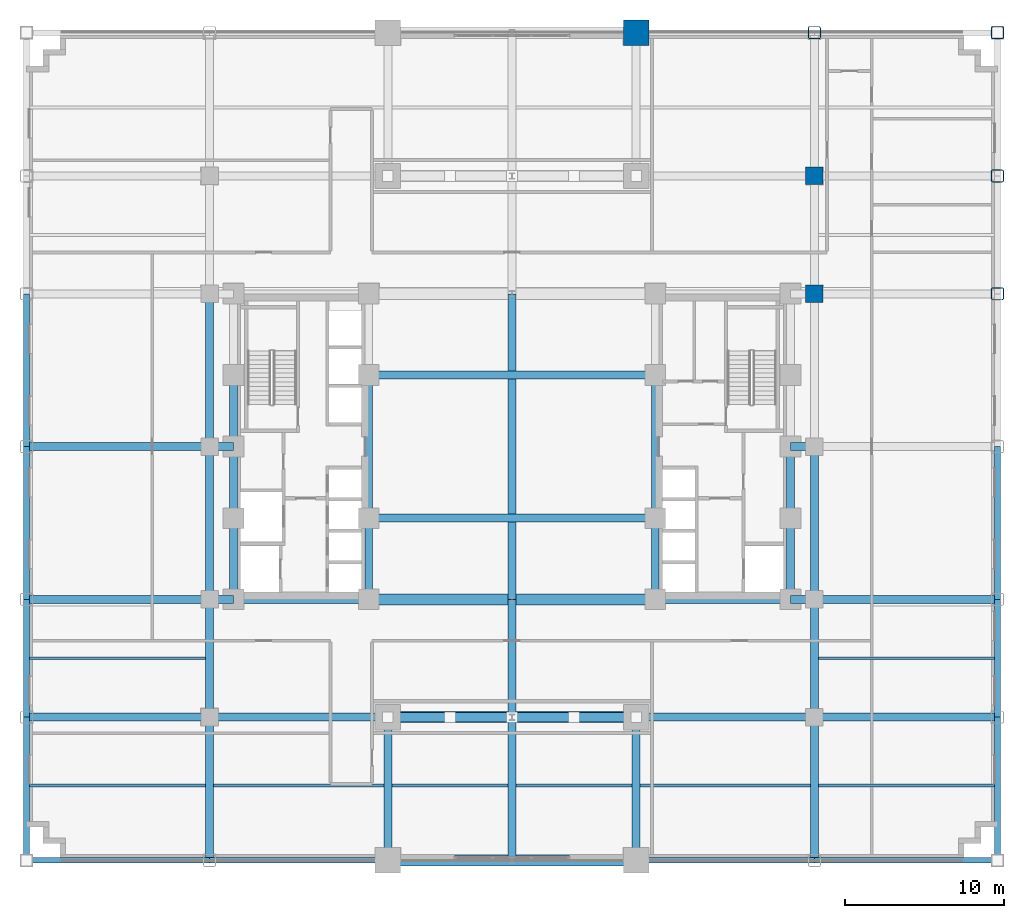
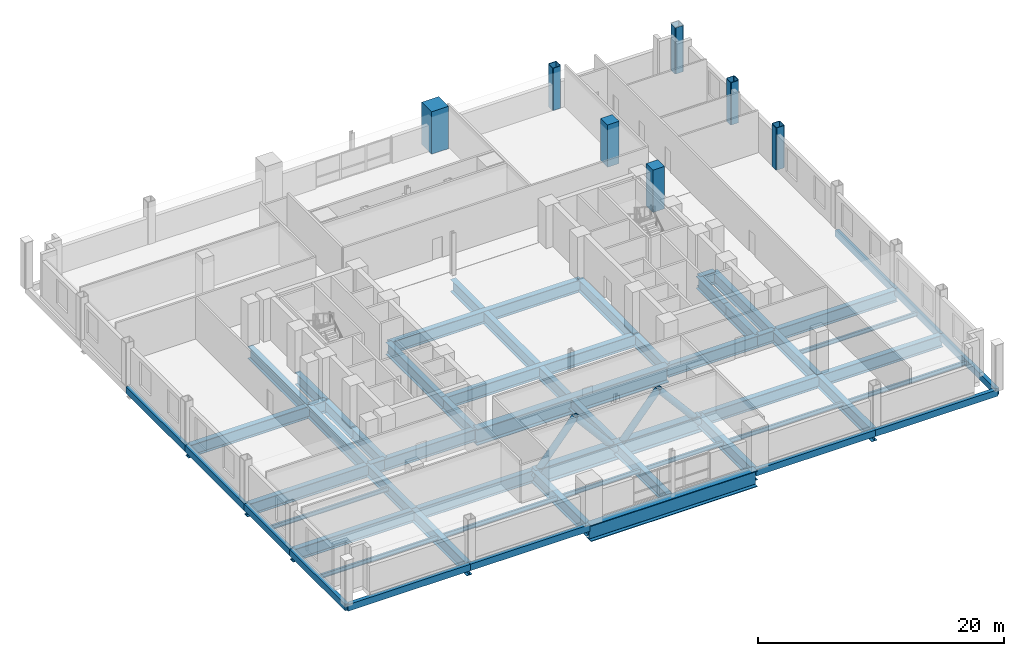
# One storey, part 4 of 17: 58 beams, 7 columns, 4 members.
"""IFC4 building model written with IfcOpenShell, lengths in metres."""

from ifc_helpers import new_model, si_unit, direction, frame, origin, origin_2d, place, context, subcontext, project, spatial, rectangle, hollow_rectangle, hollow_circle, i_section, extrude, material, material_profile, profile_set, type_object, element, save


model = new_model("IFC4")

# Units and contexts
model_context = context("Model", 3, precision=1e-05, world=origin(), true_north=direction((0.0, 1.0)))
body_context = subcontext(model_context, "Body", "Model", "MODEL_VIEW")
ifc_project = project(units=[si_unit("LENGTHUNIT", "METRE"), si_unit("AREAUNIT", "SQUARE_METRE"), si_unit("VOLUMEUNIT", "CUBIC_METRE"), si_unit("PLANEANGLEUNIT", "RADIAN"), si_unit("MASSUNIT", "GRAM", prefix="KILO")], contexts=[model_context])

# Site, building, storey
site_placement = place(None, origin())
site = spatial("IfcSite", under=ifc_project, at=site_placement, CompositionType="ELEMENT")
building_placement = place(site_placement, origin())
building = spatial("IfcBuilding", under=site, at=building_placement, Name="Nuvemarco Arch Tower", CompositionType="ELEMENT")
storey_placement = place(building_placement, frame((0.0, 0.0, 18.39990234375)))
storey = spatial("IfcBuildingStorey", under=building, at=storey_placement, Name="L04", CompositionType="ELEMENT", Elevation=18.39990234375)

# Columns
ifc_material_1 = material(Name="Concrete C60/75", Category="concrete")
ifc_material_profile_1 = material_profile(ifc_material_1, rectangle(XDim=1.10009765625, YDim=1.10009765625, at=origin_2d()), Name="RC-COL-1100x1100")
ifc_profile_set_1 = profile_set([ifc_material_profile_1], Name="Concrete C60/75")
column_type_1 = type_object("IfcColumnType", Name="COL-CORE-1100", PredefinedType="COLUMN", material=ifc_profile_set_1)
for number, where, z_axis, x_axis, name in (
    (1, (19.0, 9.60009765625, 0.0), (0.0, 0.0, 1.0), (1.0, 0.0, 0.0), "L04 column CP_+19.0_+9.6"),
    (2, (19.0, 17.0, 0.0), (0.0, 0.0, 1.0), (1.0, 0.0, 0.0), "L04 column CP_+19.0_+17.0"),
):
    element("IfcColumn", number, at=place(storey_placement, frame(where, z_axis=z_axis, x_axis=x_axis)), inside=storey, type_object=column_type_1, Name=name, PredefinedType="COLUMN", context=body_context, shape_type="SweptSolid", body=[
        extrude(rectangle(XDim=1.10009765625, YDim=1.10009765625, at=origin_2d()), origin(), (0.0, 0.0, 1.0), 4.2001953125),
    ])
ifc_material_2 = material(Name="Steel S460", Category="steel")
ifc_material_profile_2 = material_profile(ifc_material_2, hollow_rectangle(XDim=0.800048828125, YDim=0.800048828125, WallThickness=0.054931640625, InnerFilletRadius=0.054931640625, OuterFilletRadius=0.110107421875, at=origin_2d()), Name="SHS800x800x55")
ifc_profile_set_2 = profile_set([ifc_material_profile_2], Name="Steel S460")
column_type_2 = type_object("IfcColumnType", Name="COL-EXO-800", PredefinedType="COLUMN", material=ifc_profile_set_2)
for number, where, z_axis, x_axis, name in (
    (3, (19.0, 26.0, 0.0), (0.0, 0.0, 1.0), (1.0, 0.0, 0.0), "L04 column CP_+19.0_+26.0"),
    (4, (30.5, 9.60009765625, 0.0), (0.0, 0.0, 1.0), (1.0, 0.0, 0.0), "L04 column CP_+30.5_+9.6"),
    (5, (30.5, 17.0, 0.0), (0.0, 0.0, 1.0), (1.0, 0.0, 0.0), "L04 column CP_+30.5_+17.0"),
):
    element("IfcColumn", number, at=place(storey_placement, frame(where, z_axis=z_axis, x_axis=x_axis)), inside=storey, type_object=column_type_2, Name=name, PredefinedType="COLUMN", context=body_context, shape_type="SweptSolid", body=[
        extrude(hollow_rectangle(XDim=0.800048828125, YDim=0.800048828125, WallThickness=0.054931640625, InnerFilletRadius=0.054931640625, OuterFilletRadius=0.110107421875, at=origin_2d()), origin(), (0.0, 0.0, 1.0), 4.2001953125),
    ])
column_1_placement = place(storey_placement, frame((30.5, 26.0, -0.39990234375), z_axis=(0.0, 0.0, 1.0), x_axis=(1.0, 0.0, 0.0)))
element("IfcColumn", 6, at=column_1_placement, inside=storey, type_object=column_type_2, Name="L04 column CP_+30.5_+26.0", PredefinedType="COLUMN", context=body_context, shape_type="SweptSolid", body=[
    extrude(hollow_rectangle(XDim=0.800048828125, YDim=0.800048828125, WallThickness=0.054931640625, InnerFilletRadius=0.054931640625, OuterFilletRadius=0.110107421875, at=origin_2d()), origin(), (0.0, 0.0, 1.0), 4.60009765625),
])
ifc_material_profile_3 = material_profile(ifc_material_1, rectangle(XDim=1.60009765625, YDim=1.60009765625, at=origin_2d()), Name="RC-COL-1600x1600")
ifc_profile_set_3 = profile_set([ifc_material_profile_3], Name="Concrete C60/75")
column_type_3 = type_object("IfcColumnType", Name="COL-MEGA-1600", PredefinedType="COLUMN", material=ifc_profile_set_3)
column_2_placement = place(storey_placement, frame((7.800048828125, 26.0, 0.0), z_axis=(0.0, 0.0, 1.0), x_axis=(1.0, 0.0, 0.0)))
element("IfcColumn", 7, at=column_2_placement, inside=storey, type_object=column_type_3, Name="L04 column CM_+7.8_+26.0", PredefinedType="COLUMN", context=body_context, shape_type="SweptSolid", body=[
    extrude(rectangle(XDim=1.60009765625, YDim=1.60009765625, at=origin_2d()), origin(), (0.0, 0.0, 1.0), 4.2001953125),
])

# Beams
ifc_material_profile_4 = material_profile(ifc_material_2, i_section(OverallWidth=0.699951171875, OverallDepth=1.60009765625, WebThickness=0.035888671875, FlangeThickness=0.06494140625, FilletRadius=0.02392578125, at=origin_2d()), Name="PG1600x700")
ifc_profile_set_4 = profile_set([ifc_material_profile_4], Name="Steel S460")
beam_type_1 = type_object("IfcBeamType", Name="BM-ARCH-TRUSS", PredefinedType="BEAM", material=ifc_profile_set_4)
beam_1_placement = place(storey_placement, frame((-7.800048828125, -17.0, -1.199951171875), z_axis=(1.0, 0.0, 0.0), x_axis=(0.0, 1.0, 0.0)))
element("IfcBeam", 8, at=beam_1_placement, inside=storey, type_object=beam_type_1, Name="L04 Giant Arch transfer girder chord -17.0", PredefinedType="BEAM", context=body_context, shape_type="SweptSolid", body=[
    extrude(i_section(OverallWidth=0.699951171875, OverallDepth=1.60009765625, WebThickness=0.035888671875, FlangeThickness=0.06494140625, FilletRadius=0.02392578125, at=origin_2d()), origin(), (0.0, 0.0, 1.0), 15.60009765625),
])
beam_2_placement = place(storey_placement, frame((-9.0, -9.60009765625, -1.199951171875), z_axis=(1.0, 0.0, 0.0), x_axis=(0.0, 1.0, 0.0)))
element("IfcBeam", 9, at=beam_2_placement, inside=storey, type_object=beam_type_1, Name="L04 Giant Arch transfer girder chord -9.6", PredefinedType="BEAM", context=body_context, shape_type="SweptSolid", body=[
    extrude(i_section(OverallWidth=0.699951171875, OverallDepth=1.60009765625, WebThickness=0.035888671875, FlangeThickness=0.06494140625, FilletRadius=0.02392578125, at=origin_2d()), origin(), (0.0, 0.0, 1.0), 18.0),
])
ifc_material_profile_5 = material_profile(ifc_material_2, i_section(OverallWidth=0.699951171875, OverallDepth=1.60009765625, WebThickness=0.035888671875, FlangeThickness=0.06494140625, FilletRadius=0.02392578125, at=origin_2d()), Name="PG1600x700")
ifc_profile_set_5 = profile_set([ifc_material_profile_5], Name="Steel S460")
beam_type_2 = type_object("IfcBeamType", Name="BM-ARCH-TRUSS-EXT", PredefinedType="BEAM", material=ifc_profile_set_5)
beam_3_placement = place(storey_placement, frame((-7.800048828125, -26.0, -1.199951171875), z_axis=(1.0, 0.0, 0.0), x_axis=(0.0, 1.0, 0.0)))
element("IfcBeam", 10, at=beam_3_placement, inside=storey, type_object=beam_type_2, Name="L04 Giant Arch transfer girder chord -26.0", PredefinedType="BEAM", context=body_context, shape_type="SweptSolid", body=[
    extrude(i_section(OverallWidth=0.699951171875, OverallDepth=1.60009765625, WebThickness=0.035888671875, FlangeThickness=0.06494140625, FilletRadius=0.02392578125, at=origin_2d()), origin(), (0.0, 0.0, 1.0), 15.60009765625),
])
ifc_material_3 = material(Name="Steel S355", Category="steel")
ifc_material_profile_6 = material_profile(ifc_material_3, i_section(OverallWidth=0.5, OverallDepth=1.199951171875, WebThickness=0.02587890625, FlangeThickness=0.0400390625, FilletRadius=0.01806640625, at=origin_2d()), Name="PG1200x500")
ifc_profile_set_6 = profile_set([ifc_material_profile_6], Name="Steel S355")
beam_type_3 = type_object("IfcBeamType", Name="BM-GIRD-1200", PredefinedType="BEAM", material=ifc_profile_set_6)
beam_4_placement = place(storey_placement, frame((-19.0, -26.0, -1.0), z_axis=(0.0, 1.0, 0.0), x_axis=(-1.0, 0.0, 0.0)))
element("IfcBeam", 11, at=beam_4_placement, inside=storey, type_object=beam_type_3, Name="L04 structural beam BGNS_L04_0_-19.0_-26.0", PredefinedType="BEAM", context=body_context, shape_type="SweptSolid", body=[
    extrude(i_section(OverallWidth=0.5, OverallDepth=1.199951171875, WebThickness=0.02587890625, FlangeThickness=0.0400390625, FilletRadius=0.01806640625, at=origin_2d()), origin(), (0.0, 0.0, 1.0), 9.0),
])
beam_5_placement = place(storey_placement, frame((-19.0, -17.0, -1.0), z_axis=(0.0, 1.0, 0.0), x_axis=(-1.0, 0.0, 0.0)))
element("IfcBeam", 12, at=beam_5_placement, inside=storey, type_object=beam_type_3, Name="L04 structural beam BGNS_L04_0_-19.0_-17.0", PredefinedType="BEAM", context=body_context, shape_type="SweptSolid", body=[
    extrude(i_section(OverallWidth=0.5, OverallDepth=1.199951171875, WebThickness=0.02587890625, FlangeThickness=0.0400390625, FilletRadius=0.01806640625, at=origin_2d()), origin(), (0.0, 0.0, 1.0), 7.39990234375),
])
for number, where, z_axis, x_axis, name in (
    (13, (-19.0, -9.60009765625, -1.0), (0.0, 1.0, 0.0), (-1.0, 0.0, 0.0), "L04 structural beam BGNS_L04_0_-19.0_-9.6"),
    (14, (-19.0, 0.0, -1.0), (0.0, 1.0, 0.0), (-1.0, 0.0, 0.0), "L04 structural beam BGNS_L04_0_-19.0_+0.0"),
):
    element("IfcBeam", number, at=place(storey_placement, frame(where, z_axis=z_axis, x_axis=x_axis)), inside=storey, type_object=beam_type_3, Name=name, PredefinedType="BEAM", context=body_context, shape_type="SweptSolid", body=[
        extrude(i_section(OverallWidth=0.5, OverallDepth=1.199951171875, WebThickness=0.02587890625, FlangeThickness=0.0400390625, FilletRadius=0.01806640625, at=origin_2d()), origin(), (0.0, 0.0, 1.0), 9.60009765625),
    ])
beam_6_placement = place(storey_placement, frame((-17.5, -9.60009765625, -1.0), z_axis=(0.0, 1.0, 0.0), x_axis=(-1.0, 0.0, 0.0)))
element("IfcBeam", 15, at=beam_6_placement, inside=storey, type_object=beam_type_3, Name="L04 structural beam BGNS_L04_0_-17.5_-9.6", PredefinedType="BEAM", context=body_context, shape_type="SweptSolid", body=[
    extrude(i_section(OverallWidth=0.5, OverallDepth=1.199951171875, WebThickness=0.02587890625, FlangeThickness=0.0400390625, FilletRadius=0.01806640625, at=origin_2d()), origin(), (0.0, 0.0, 1.0), 5.10009765625),
])
for number, where, z_axis, x_axis, name in (
    (16, (-17.5, -4.5, -1.0), (0.0, 1.0, 0.0), (-1.0, 0.0, 0.0), "L04 structural beam BGNS_L04_0_-17.5_-4.5"),
    (17, (-17.5, 0.0, -1.0), (0.0, 1.0, 0.0), (-1.0, 0.0, 0.0), "L04 structural beam BGNS_L04_0_-17.5_+0.0"),
):
    element("IfcBeam", number, at=place(storey_placement, frame(where, z_axis=z_axis, x_axis=x_axis)), inside=storey, type_object=beam_type_3, Name=name, PredefinedType="BEAM", context=body_context, shape_type="SweptSolid", body=[
        extrude(i_section(OverallWidth=0.5, OverallDepth=1.199951171875, WebThickness=0.02587890625, FlangeThickness=0.0400390625, FilletRadius=0.01806640625, at=origin_2d()), origin(), (0.0, 0.0, 1.0), 4.5),
    ])
beam_7_placement = place(storey_placement, frame((-9.0, -9.60009765625, -1.0), z_axis=(0.0, 1.0, 0.0), x_axis=(-1.0, 0.0, 0.0)))
element("IfcBeam", 18, at=beam_7_placement, inside=storey, type_object=beam_type_3, Name="L04 structural beam BGNS_L04_0_-9.0_-9.6", PredefinedType="BEAM", context=body_context, shape_type="SweptSolid", body=[
    extrude(i_section(OverallWidth=0.5, OverallDepth=1.199951171875, WebThickness=0.02587890625, FlangeThickness=0.0400390625, FilletRadius=0.01806640625, at=origin_2d()), origin(), (0.0, 0.0, 1.0), 5.10009765625),
])
for number, where, z_axis, x_axis, name in (
    (19, (-9.0, -4.5, -1.0), (0.0, 1.0, 0.0), (-1.0, 0.0, 0.0), "L04 structural beam BGNS_L04_0_-9.0_-4.5"),
    (20, (-7.800048828125, -26.0, -1.0), (0.0, 1.0, 0.0), (-1.0, 0.0, 0.0), "L04 structural beam BGNS_L04_0_-7.8_-26.0"),
    (21, (0.0, -26.0, -1.0), (0.0, 1.0, 0.0), (-1.0, 0.0, 0.0), "L04 structural beam BGNS_L04_0_+0.0_-26.0"),
):
    element("IfcBeam", number, at=place(storey_placement, frame(where, z_axis=z_axis, x_axis=x_axis)), inside=storey, type_object=beam_type_3, Name=name, PredefinedType="BEAM", context=body_context, shape_type="SweptSolid", body=[
        extrude(i_section(OverallWidth=0.5, OverallDepth=1.199951171875, WebThickness=0.02587890625, FlangeThickness=0.0400390625, FilletRadius=0.01806640625, at=origin_2d()), origin(), (0.0, 0.0, 1.0), 9.0),
    ])
beam_8_placement = place(storey_placement, frame((0.0, -17.0, -1.0), z_axis=(0.0, 1.0, 0.0), x_axis=(-1.0, 0.0, 0.0)))
element("IfcBeam", 22, at=beam_8_placement, inside=storey, type_object=beam_type_3, Name="L04 structural beam BGNS_L04_0_+0.0_-17.0", PredefinedType="BEAM", context=body_context, shape_type="SweptSolid", body=[
    extrude(i_section(OverallWidth=0.5, OverallDepth=1.199951171875, WebThickness=0.02587890625, FlangeThickness=0.0400390625, FilletRadius=0.01806640625, at=origin_2d()), origin(), (0.0, 0.0, 1.0), 7.39990234375),
])
beam_9_placement = place(storey_placement, frame((0.0, -9.60009765625, -1.0), z_axis=(0.0, 1.0, 0.0), x_axis=(-1.0, 0.0, 0.0)))
element("IfcBeam", 23, at=beam_9_placement, inside=storey, type_object=beam_type_3, Name="L04 structural beam BGNS_L04_0_+0.0_-9.6", PredefinedType="BEAM", context=body_context, shape_type="SweptSolid", body=[
    extrude(i_section(OverallWidth=0.5, OverallDepth=1.199951171875, WebThickness=0.02587890625, FlangeThickness=0.0400390625, FilletRadius=0.01806640625, at=origin_2d()), origin(), (0.0, 0.0, 1.0), 19.2001953125),
])
beam_10_placement = place(storey_placement, frame((7.800048828125, -26.0, -1.0), z_axis=(0.0, 1.0, 0.0), x_axis=(-1.0, 0.0, 0.0)))
element("IfcBeam", 24, at=beam_10_placement, inside=storey, type_object=beam_type_3, Name="L04 structural beam BGNS_L04_0_+7.8_-26.0", PredefinedType="BEAM", context=body_context, shape_type="SweptSolid", body=[
    extrude(i_section(OverallWidth=0.5, OverallDepth=1.199951171875, WebThickness=0.02587890625, FlangeThickness=0.0400390625, FilletRadius=0.01806640625, at=origin_2d()), origin(), (0.0, 0.0, 1.0), 9.0),
])
beam_11_placement = place(storey_placement, frame((9.0, -9.60009765625, -1.0), z_axis=(0.0, 1.0, 0.0), x_axis=(-1.0, 0.0, 0.0)))
element("IfcBeam", 25, at=beam_11_placement, inside=storey, type_object=beam_type_3, Name="L04 structural beam BGNS_L04_0_+9.0_-9.6", PredefinedType="BEAM", context=body_context, shape_type="SweptSolid", body=[
    extrude(i_section(OverallWidth=0.5, OverallDepth=1.199951171875, WebThickness=0.02587890625, FlangeThickness=0.0400390625, FilletRadius=0.01806640625, at=origin_2d()), origin(), (0.0, 0.0, 1.0), 5.10009765625),
])
beam_12_placement = place(storey_placement, frame((9.0, -4.5, -1.0), z_axis=(0.0, 1.0, 0.0), x_axis=(-1.0, 0.0, 0.0)))
element("IfcBeam", 26, at=beam_12_placement, inside=storey, type_object=beam_type_3, Name="L04 structural beam BGNS_L04_0_+9.0_-4.5", PredefinedType="BEAM", context=body_context, shape_type="SweptSolid", body=[
    extrude(i_section(OverallWidth=0.5, OverallDepth=1.199951171875, WebThickness=0.02587890625, FlangeThickness=0.0400390625, FilletRadius=0.01806640625, at=origin_2d()), origin(), (0.0, 0.0, 1.0), 9.0),
])
beam_13_placement = place(storey_placement, frame((17.5, -9.60009765625, -1.0), z_axis=(0.0, 1.0, 0.0), x_axis=(-1.0, 0.0, 0.0)))
element("IfcBeam", 27, at=beam_13_placement, inside=storey, type_object=beam_type_3, Name="L04 structural beam BGNS_L04_0_+17.5_-9.6", PredefinedType="BEAM", context=body_context, shape_type="SweptSolid", body=[
    extrude(i_section(OverallWidth=0.5, OverallDepth=1.199951171875, WebThickness=0.02587890625, FlangeThickness=0.0400390625, FilletRadius=0.01806640625, at=origin_2d()), origin(), (0.0, 0.0, 1.0), 5.10009765625),
])
beam_14_placement = place(storey_placement, frame((17.5, -4.5, -1.0), z_axis=(0.0, 1.0, 0.0), x_axis=(-1.0, 0.0, 0.0)))
element("IfcBeam", 28, at=beam_14_placement, inside=storey, type_object=beam_type_3, Name="L04 structural beam BGNS_L04_0_+17.5_-4.5", PredefinedType="BEAM", context=body_context, shape_type="SweptSolid", body=[
    extrude(i_section(OverallWidth=0.5, OverallDepth=1.199951171875, WebThickness=0.02587890625, FlangeThickness=0.0400390625, FilletRadius=0.01806640625, at=origin_2d()), origin(), (0.0, 0.0, 1.0), 4.5),
])
beam_15_placement = place(storey_placement, frame((19.0, -26.0, -1.0), z_axis=(0.0, 1.0, 0.0), x_axis=(-1.0, 0.0, 0.0)))
element("IfcBeam", 29, at=beam_15_placement, inside=storey, type_object=beam_type_3, Name="L04 structural beam BGNS_L04_0_+19.0_-26.0", PredefinedType="BEAM", context=body_context, shape_type="SweptSolid", body=[
    extrude(i_section(OverallWidth=0.5, OverallDepth=1.199951171875, WebThickness=0.02587890625, FlangeThickness=0.0400390625, FilletRadius=0.01806640625, at=origin_2d()), origin(), (0.0, 0.0, 1.0), 9.0),
])
beam_16_placement = place(storey_placement, frame((19.0, -17.0, -1.0), z_axis=(0.0, 1.0, 0.0), x_axis=(-1.0, 0.0, 0.0)))
element("IfcBeam", 30, at=beam_16_placement, inside=storey, type_object=beam_type_3, Name="L04 structural beam BGNS_L04_0_+19.0_-17.0", PredefinedType="BEAM", context=body_context, shape_type="SweptSolid", body=[
    extrude(i_section(OverallWidth=0.5, OverallDepth=1.199951171875, WebThickness=0.02587890625, FlangeThickness=0.0400390625, FilletRadius=0.01806640625, at=origin_2d()), origin(), (0.0, 0.0, 1.0), 7.39990234375),
])
beam_17_placement = place(storey_placement, frame((19.0, -9.60009765625, -1.0), z_axis=(0.0, 1.0, 0.0), x_axis=(-1.0, 0.0, 0.0)))
element("IfcBeam", 31, at=beam_17_placement, inside=storey, type_object=beam_type_3, Name="L04 structural beam BGNS_L04_0_+19.0_-9.6", PredefinedType="BEAM", context=body_context, shape_type="SweptSolid", body=[
    extrude(i_section(OverallWidth=0.5, OverallDepth=1.199951171875, WebThickness=0.02587890625, FlangeThickness=0.0400390625, FilletRadius=0.01806640625, at=origin_2d()), origin(), (0.0, 0.0, 1.0), 9.60009765625),
])
beam_18_placement = place(storey_placement, frame((-30.5, -17.0, -1.0), z_axis=(1.0, 0.0, 0.0), x_axis=(0.0, 1.0, 0.0)))
element("IfcBeam", 32, at=beam_18_placement, inside=storey, type_object=beam_type_3, Name="L04 structural beam BGEW_L04_0_-17.0_-30.5", PredefinedType="BEAM", context=body_context, shape_type="SweptSolid", body=[
    extrude(i_section(OverallWidth=0.5, OverallDepth=1.199951171875, WebThickness=0.02587890625, FlangeThickness=0.0400390625, FilletRadius=0.01806640625, at=origin_2d()), origin(), (0.0, 0.0, 1.0), 11.5),
])
for number, where, z_axis, x_axis, name in (
    (33, (-19.0, -17.0, -1.0), (1.0, 0.0, 0.0), (0.0, 1.0, 0.0), "L04 structural beam BGEW_L04_0_-17.0_-19.0"),
    (34, (7.800048828125, -17.0, -1.0), (1.0, 0.0, 0.0), (0.0, 1.0, 0.0), "L04 structural beam BGEW_L04_0_-17.0_+7.8"),
):
    element("IfcBeam", number, at=place(storey_placement, frame(where, z_axis=z_axis, x_axis=x_axis)), inside=storey, type_object=beam_type_3, Name=name, PredefinedType="BEAM", context=body_context, shape_type="SweptSolid", body=[
        extrude(i_section(OverallWidth=0.5, OverallDepth=1.199951171875, WebThickness=0.02587890625, FlangeThickness=0.0400390625, FilletRadius=0.01806640625, at=origin_2d()), origin(), (0.0, 0.0, 1.0), 11.199951171875),
    ])
for number, where, z_axis, x_axis, name in (
    (35, (19.0, -17.0, -1.0), (1.0, 0.0, 0.0), (0.0, 1.0, 0.0), "L04 structural beam BGEW_L04_0_-17.0_+19.0"),
    (36, (-30.5, -9.60009765625, -1.0), (1.0, 0.0, 0.0), (0.0, 1.0, 0.0), "L04 structural beam BGEW_L04_0_-9.6_-30.5"),
):
    element("IfcBeam", number, at=place(storey_placement, frame(where, z_axis=z_axis, x_axis=x_axis)), inside=storey, type_object=beam_type_3, Name=name, PredefinedType="BEAM", context=body_context, shape_type="SweptSolid", body=[
        extrude(i_section(OverallWidth=0.5, OverallDepth=1.199951171875, WebThickness=0.02587890625, FlangeThickness=0.0400390625, FilletRadius=0.01806640625, at=origin_2d()), origin(), (0.0, 0.0, 1.0), 11.5),
    ])
beam_19_placement = place(storey_placement, frame((-19.0, -9.60009765625, -1.0), z_axis=(1.0, 0.0, 0.0), x_axis=(0.0, 1.0, 0.0)))
element("IfcBeam", 37, at=beam_19_placement, inside=storey, type_object=beam_type_3, Name="L04 structural beam BGEW_L04_0_-9.6_-19.0", PredefinedType="BEAM", context=body_context, shape_type="SweptSolid", body=[
    extrude(i_section(OverallWidth=0.5, OverallDepth=1.199951171875, WebThickness=0.02587890625, FlangeThickness=0.0400390625, FilletRadius=0.01806640625, at=origin_2d()), origin(), (0.0, 0.0, 1.0), 1.5),
])
for number, where, z_axis, x_axis, name in (
    (38, (-17.5, -9.60009765625, -1.0), (1.0, 0.0, 0.0), (0.0, 1.0, 0.0), "L04 structural beam BGEW_L04_0_-9.6_-17.5"),
    (39, (9.0, -9.60009765625, -1.0), (1.0, 0.0, 0.0), (0.0, 1.0, 0.0), "L04 structural beam BGEW_L04_0_-9.6_+9.0"),
):
    element("IfcBeam", number, at=place(storey_placement, frame(where, z_axis=z_axis, x_axis=x_axis)), inside=storey, type_object=beam_type_3, Name=name, PredefinedType="BEAM", context=body_context, shape_type="SweptSolid", body=[
        extrude(i_section(OverallWidth=0.5, OverallDepth=1.199951171875, WebThickness=0.02587890625, FlangeThickness=0.0400390625, FilletRadius=0.01806640625, at=origin_2d()), origin(), (0.0, 0.0, 1.0), 8.5),
    ])
beam_20_placement = place(storey_placement, frame((17.5, -9.60009765625, -1.0), z_axis=(1.0, 0.0, 0.0), x_axis=(0.0, 1.0, 0.0)))
element("IfcBeam", 40, at=beam_20_placement, inside=storey, type_object=beam_type_3, Name="L04 structural beam BGEW_L04_0_-9.6_+17.5", PredefinedType="BEAM", context=body_context, shape_type="SweptSolid", body=[
    extrude(i_section(OverallWidth=0.5, OverallDepth=1.199951171875, WebThickness=0.02587890625, FlangeThickness=0.0400390625, FilletRadius=0.01806640625, at=origin_2d()), origin(), (0.0, 0.0, 1.0), 1.5),
])
beam_21_placement = place(storey_placement, frame((19.0, -9.60009765625, -1.0), z_axis=(1.0, 0.0, 0.0), x_axis=(0.0, 1.0, 0.0)))
element("IfcBeam", 41, at=beam_21_placement, inside=storey, type_object=beam_type_3, Name="L04 structural beam BGEW_L04_0_-9.6_+19.0", PredefinedType="BEAM", context=body_context, shape_type="SweptSolid", body=[
    extrude(i_section(OverallWidth=0.5, OverallDepth=1.199951171875, WebThickness=0.02587890625, FlangeThickness=0.0400390625, FilletRadius=0.01806640625, at=origin_2d()), origin(), (0.0, 0.0, 1.0), 11.5),
])
beam_22_placement = place(storey_placement, frame((-9.0, -4.5, -1.0), z_axis=(1.0, 0.0, 0.0), x_axis=(0.0, 1.0, 0.0)))
element("IfcBeam", 42, at=beam_22_placement, inside=storey, type_object=beam_type_3, Name="L04 structural beam BGEW_L04_0_-4.5_-9.0", PredefinedType="BEAM", context=body_context, shape_type="SweptSolid", body=[
    extrude(i_section(OverallWidth=0.5, OverallDepth=1.199951171875, WebThickness=0.02587890625, FlangeThickness=0.0400390625, FilletRadius=0.01806640625, at=origin_2d()), origin(), (0.0, 0.0, 1.0), 18.0),
])
beam_23_placement = place(storey_placement, frame((-30.5, 0.0, -1.0), z_axis=(1.0, 0.0, 0.0), x_axis=(0.0, 1.0, 0.0)))
element("IfcBeam", 43, at=beam_23_placement, inside=storey, type_object=beam_type_3, Name="L04 structural beam BGEW_L04_0_+0.0_-30.5", PredefinedType="BEAM", context=body_context, shape_type="SweptSolid", body=[
    extrude(i_section(OverallWidth=0.5, OverallDepth=1.199951171875, WebThickness=0.02587890625, FlangeThickness=0.0400390625, FilletRadius=0.01806640625, at=origin_2d()), origin(), (0.0, 0.0, 1.0), 11.5),
])
for number, where, z_axis, x_axis, name in (
    (44, (-19.0, 0.0, -1.0), (1.0, 0.0, 0.0), (0.0, 1.0, 0.0), "L04 structural beam BGEW_L04_0_+0.0_-19.0"),
    (45, (17.5, 0.0, -1.0), (1.0, 0.0, 0.0), (0.0, 1.0, 0.0), "L04 structural beam BGEW_L04_0_+0.0_+17.5"),
):
    element("IfcBeam", number, at=place(storey_placement, frame(where, z_axis=z_axis, x_axis=x_axis)), inside=storey, type_object=beam_type_3, Name=name, PredefinedType="BEAM", context=body_context, shape_type="SweptSolid", body=[
        extrude(i_section(OverallWidth=0.5, OverallDepth=1.199951171875, WebThickness=0.02587890625, FlangeThickness=0.0400390625, FilletRadius=0.01806640625, at=origin_2d()), origin(), (0.0, 0.0, 1.0), 1.5),
    ])
beam_24_placement = place(storey_placement, frame((-9.0, 4.5, -1.0), z_axis=(1.0, 0.0, 0.0), x_axis=(0.0, 1.0, 0.0)))
element("IfcBeam", 46, at=beam_24_placement, inside=storey, type_object=beam_type_3, Name="L04 structural beam BGEW_L04_0_+4.5_-9.0", PredefinedType="BEAM", context=body_context, shape_type="SweptSolid", body=[
    extrude(i_section(OverallWidth=0.5, OverallDepth=1.199951171875, WebThickness=0.02587890625, FlangeThickness=0.0400390625, FilletRadius=0.01806640625, at=origin_2d()), origin(), (0.0, 0.0, 1.0), 18.0),
])
ifc_material_profile_7 = material_profile(ifc_material_3, i_section(OverallWidth=0.179931640625, OverallDepth=0.4130859375, WebThickness=0.009765625, FlangeThickness=0.01611328125, FilletRadius=0.014892578125, at=origin_2d()), Name="W410x75")
ifc_profile_set_7 = profile_set([ifc_material_profile_7], Name="Steel S355")
beam_type_4 = type_object("IfcBeamType", Name="BM-JOIST-410", PredefinedType="JOIST", material=ifc_profile_set_7)
beam_25_placement = place(storey_placement, frame((-30.324951171875, -21.300048828125, -0.6064453125), z_axis=(1.0, 0.0, 0.0), x_axis=(0.0, 1.0, 0.0)))
element("IfcBeam", 47, at=beam_25_placement, inside=storey, type_object=beam_type_4, Name="L04 structural beam BJ_L04_0_-21.3_-30.5", PredefinedType="JOIST", context=body_context, shape_type="SweptSolid", body=[
    extrude(i_section(OverallWidth=0.179931640625, OverallDepth=0.4130859375, WebThickness=0.009765625, FlangeThickness=0.01611328125, FilletRadius=0.014892578125, at=origin_2d()), origin(), (0.0, 0.0, 1.0), 11.074951171875),
])
beam_26_placement = place(storey_placement, frame((-18.75, -21.300048828125, -0.6064453125), z_axis=(1.0, 0.0, 0.0), x_axis=(0.0, 1.0, 0.0)))
element("IfcBeam", 48, at=beam_26_placement, inside=storey, type_object=beam_type_4, Name="L04 structural beam BJ_L04_0_-21.3_-19.0", PredefinedType="JOIST", context=body_context, shape_type="SweptSolid", body=[
    extrude(i_section(OverallWidth=0.179931640625, OverallDepth=0.4130859375, WebThickness=0.009765625, FlangeThickness=0.01611328125, FilletRadius=0.014892578125, at=origin_2d()), origin(), (0.0, 0.0, 1.0), 10.699951171875),
])
for number, where, z_axis, x_axis, name in (
    (49, (-7.550048828125, -21.300048828125, -0.6064453125), (1.0, 0.0, 0.0), (0.0, 1.0, 0.0), "L04 structural beam BJ_L04_0_-21.3_-7.8"),
    (50, (0.25, -21.300048828125, -0.6064453125), (1.0, 0.0, 0.0), (0.0, 1.0, 0.0), "L04 structural beam BJ_L04_0_-21.3_+0.0"),
):
    element("IfcBeam", number, at=place(storey_placement, frame(where, z_axis=z_axis, x_axis=x_axis)), inside=storey, type_object=beam_type_4, Name=name, PredefinedType="JOIST", context=body_context, shape_type="SweptSolid", body=[
        extrude(i_section(OverallWidth=0.179931640625, OverallDepth=0.4130859375, WebThickness=0.009765625, FlangeThickness=0.01611328125, FilletRadius=0.014892578125, at=origin_2d()), origin(), (0.0, 0.0, 1.0), 7.300048828125),
    ])
beam_27_placement = place(storey_placement, frame((8.050048828125, -21.300048828125, -0.6064453125), z_axis=(1.0, 0.0, 0.0), x_axis=(0.0, 1.0, 0.0)))
element("IfcBeam", 51, at=beam_27_placement, inside=storey, type_object=beam_type_4, Name="L04 structural beam BJ_L04_0_-21.3_+7.8", PredefinedType="JOIST", context=body_context, shape_type="SweptSolid", body=[
    extrude(i_section(OverallWidth=0.179931640625, OverallDepth=0.4130859375, WebThickness=0.009765625, FlangeThickness=0.01611328125, FilletRadius=0.014892578125, at=origin_2d()), origin(), (0.0, 0.0, 1.0), 10.699951171875),
])
for number, where, z_axis, x_axis, name in (
    (52, (19.25, -21.300048828125, -0.6064453125), (1.0, 0.0, 0.0), (0.0, 1.0, 0.0), "L04 structural beam BJ_L04_0_-21.3_+19.0"),
    (53, (-30.324951171875, -13.300048828125, -0.6064453125), (1.0, 0.0, 0.0), (0.0, 1.0, 0.0), "L04 structural beam BJ_L04_0_-13.3_-30.5"),
    (54, (19.25, -13.300048828125, -0.6064453125), (1.0, 0.0, 0.0), (0.0, 1.0, 0.0), "L04 structural beam BJ_L04_0_-13.3_+19.0"),
):
    element("IfcBeam", number, at=place(storey_placement, frame(where, z_axis=z_axis, x_axis=x_axis)), inside=storey, type_object=beam_type_4, Name=name, PredefinedType="JOIST", context=body_context, shape_type="SweptSolid", body=[
        extrude(i_section(OverallWidth=0.179931640625, OverallDepth=0.4130859375, WebThickness=0.009765625, FlangeThickness=0.01611328125, FilletRadius=0.014892578125, at=origin_2d()), origin(), (0.0, 0.0, 1.0), 11.074951171875),
    ])
ifc_material_4 = material(Name="Precast concrete C45/55", Category="concrete")
ifc_material_profile_8 = material_profile(ifc_material_4, rectangle(XDim=0.35009765625, YDim=0.64990234375, at=origin_2d()), Name="PC-SP-350x650")
ifc_profile_set_8 = profile_set([ifc_material_profile_8], Name="Precast concrete C45/55")
beam_type_5 = type_object("IfcBeamType", Name="BM-SPAN-RC", PredefinedType="SPANDREL", material=ifc_profile_set_8)
beam_28_placement = place(storey_placement, frame((-30.5, -26.0, -0.724853515625), z_axis=(0.0, 1.0, 0.0), x_axis=(-1.0, 0.0, 0.0)))
element("IfcBeam", 55, at=beam_28_placement, inside=storey, type_object=beam_type_5, Name="L04 structural beam BGNS_L04_0_-30.5_-26.0", PredefinedType="SPANDREL", context=body_context, shape_type="SweptSolid", body=[
    extrude(rectangle(XDim=0.35009765625, YDim=0.64990234375, at=origin_2d()), origin(), (0.0, 0.0, 1.0), 9.0),
])
beam_29_placement = place(storey_placement, frame((-30.5, -17.0, -0.724853515625), z_axis=(0.0, 1.0, 0.0), x_axis=(-1.0, 0.0, 0.0)))
element("IfcBeam", 56, at=beam_29_placement, inside=storey, type_object=beam_type_5, Name="L04 structural beam BGNS_L04_0_-30.5_-17.0", PredefinedType="SPANDREL", context=body_context, shape_type="SweptSolid", body=[
    extrude(rectangle(XDim=0.35009765625, YDim=0.64990234375, at=origin_2d()), origin(), (0.0, 0.0, 1.0), 7.39990234375),
])
for number, where, z_axis, x_axis, name in (
    (57, (-30.5, -9.60009765625, -0.724853515625), (0.0, 1.0, 0.0), (-1.0, 0.0, 0.0), "L04 structural beam BGNS_L04_0_-30.5_-9.6"),
    (58, (-30.5, 0.0, -0.724853515625), (0.0, 1.0, 0.0), (-1.0, 0.0, 0.0), "L04 structural beam BGNS_L04_0_-30.5_+0.0"),
):
    element("IfcBeam", number, at=place(storey_placement, frame(where, z_axis=z_axis, x_axis=x_axis)), inside=storey, type_object=beam_type_5, Name=name, PredefinedType="SPANDREL", context=body_context, shape_type="SweptSolid", body=[
        extrude(rectangle(XDim=0.35009765625, YDim=0.64990234375, at=origin_2d()), origin(), (0.0, 0.0, 1.0), 9.60009765625),
    ])
beam_30_placement = place(storey_placement, frame((30.5, -26.0, -0.724853515625), z_axis=(0.0, 1.0, 0.0), x_axis=(-1.0, 0.0, 0.0)))
element("IfcBeam", 59, at=beam_30_placement, inside=storey, type_object=beam_type_5, Name="L04 structural beam BGNS_L04_0_+30.5_-26.0", PredefinedType="SPANDREL", context=body_context, shape_type="SweptSolid", body=[
    extrude(rectangle(XDim=0.35009765625, YDim=0.64990234375, at=origin_2d()), origin(), (0.0, 0.0, 1.0), 9.0),
])
beam_31_placement = place(storey_placement, frame((30.5, -17.0, -0.724853515625), z_axis=(0.0, 1.0, 0.0), x_axis=(-1.0, 0.0, 0.0)))
element("IfcBeam", 60, at=beam_31_placement, inside=storey, type_object=beam_type_5, Name="L04 structural beam BGNS_L04_0_+30.5_-17.0", PredefinedType="SPANDREL", context=body_context, shape_type="SweptSolid", body=[
    extrude(rectangle(XDim=0.35009765625, YDim=0.64990234375, at=origin_2d()), origin(), (0.0, 0.0, 1.0), 7.39990234375),
])
beam_32_placement = place(storey_placement, frame((30.5, -9.60009765625, -0.724853515625), z_axis=(0.0, 1.0, 0.0), x_axis=(-1.0, 0.0, 0.0)))
element("IfcBeam", 61, at=beam_32_placement, inside=storey, type_object=beam_type_5, Name="L04 structural beam BGNS_L04_0_+30.5_-9.6", PredefinedType="SPANDREL", context=body_context, shape_type="SweptSolid", body=[
    extrude(rectangle(XDim=0.35009765625, YDim=0.64990234375, at=origin_2d()), origin(), (0.0, 0.0, 1.0), 9.60009765625),
])
beam_33_placement = place(storey_placement, frame((-30.5, -26.0, -0.724853515625), z_axis=(1.0, 0.0, 0.0), x_axis=(0.0, 1.0, 0.0)))
element("IfcBeam", 62, at=beam_33_placement, inside=storey, type_object=beam_type_5, Name="L04 structural beam BGEW_L04_0_-26.0_-30.5", PredefinedType="SPANDREL", context=body_context, shape_type="SweptSolid", body=[
    extrude(rectangle(XDim=0.35009765625, YDim=0.64990234375, at=origin_2d()), origin(), (0.0, 0.0, 1.0), 11.5),
])
for number, where, z_axis, x_axis, name in (
    (63, (-19.0, -26.0, -0.724853515625), (1.0, 0.0, 0.0), (0.0, 1.0, 0.0), "L04 structural beam BGEW_L04_0_-26.0_-19.0"),
    (64, (7.800048828125, -26.0, -0.724853515625), (1.0, 0.0, 0.0), (0.0, 1.0, 0.0), "L04 structural beam BGEW_L04_0_-26.0_+7.8"),
):
    element("IfcBeam", number, at=place(storey_placement, frame(where, z_axis=z_axis, x_axis=x_axis)), inside=storey, type_object=beam_type_5, Name=name, PredefinedType="SPANDREL", context=body_context, shape_type="SweptSolid", body=[
        extrude(rectangle(XDim=0.35009765625, YDim=0.64990234375, at=origin_2d()), origin(), (0.0, 0.0, 1.0), 11.199951171875),
    ])
beam_34_placement = place(storey_placement, frame((19.0, -26.0, -0.724853515625), z_axis=(1.0, 0.0, 0.0), x_axis=(0.0, 1.0, 0.0)))
element("IfcBeam", 65, at=beam_34_placement, inside=storey, type_object=beam_type_5, Name="L04 structural beam BGEW_L04_0_-26.0_+19.0", PredefinedType="SPANDREL", context=body_context, shape_type="SweptSolid", body=[
    extrude(rectangle(XDim=0.35009765625, YDim=0.64990234375, at=origin_2d()), origin(), (0.0, 0.0, 1.0), 11.5),
])

# Members
ifc_material_profile_9 = material_profile(ifc_material_3, hollow_circle(Radius=0.304931640625, WallThickness=0.0400390625, at=origin_2d()), Name="CHS610x40")
ifc_profile_set_9 = profile_set([ifc_material_profile_9], Name="Steel S355")
member_type = type_object("IfcMemberType", Name="MB-ARCH-DIAG", PredefinedType="BRACE", material=ifc_profile_set_9)
member_1_placement = place(storey_placement, frame((-7.800048828125, -17.0, -1.199951171875), z_axis=(0.646691395625, 0.0, 0.762751754389), x_axis=(0.0, 1.0, 0.0)))
element("IfcMember", 66, at=member_1_placement, inside=storey, type_object=member_type, Name="L04 Giant Arch transfer truss diagonal 1", PredefinedType="BRACE", context=body_context, shape_type="SweptSolid", body=[
    extrude(hollow_circle(Radius=0.304931640625, WallThickness=0.0400390625, at=origin_2d()), origin(), (0.0, 0.0, 1.0), 6.031005859375),
])
for number, where, z_axis, x_axis, name in (
    (67, (-3.89990234375, -17.0, 3.400146484375), (0.64666784298, 0.0, -0.762771722638), (0.0, 1.0, 0.0), "L04 Giant Arch transfer truss diagonal 2"),
    (68, (0.0, -17.0, -1.199951171875), (0.64666784298, 0.0, 0.762771722638), (0.0, 1.0, 0.0), "L04 Giant Arch transfer truss diagonal 3"),
):
    element("IfcMember", number, at=place(storey_placement, frame(where, z_axis=z_axis, x_axis=x_axis)), inside=storey, type_object=member_type, Name=name, PredefinedType="BRACE", context=body_context, shape_type="SweptSolid", body=[
        extrude(hollow_circle(Radius=0.304931640625, WallThickness=0.0400390625, at=origin_2d()), origin(), (0.0, 0.0, 1.0), 6.03076171875),
    ])
member_2_placement = place(storey_placement, frame((3.89990234375, -17.0, 3.400146484375), z_axis=(0.646691395625, 0.0, -0.762751754389), x_axis=(0.0, 1.0, 0.0)))
element("IfcMember", 69, at=member_2_placement, inside=storey, type_object=member_type, Name="L04 Giant Arch transfer truss diagonal 4", PredefinedType="BRACE", context=body_context, shape_type="SweptSolid", body=[
    extrude(hollow_circle(Radius=0.304931640625, WallThickness=0.0400390625, at=origin_2d()), origin(), (0.0, 0.0, 1.0), 6.031005859375),
])

save(model, "model.ifc")
